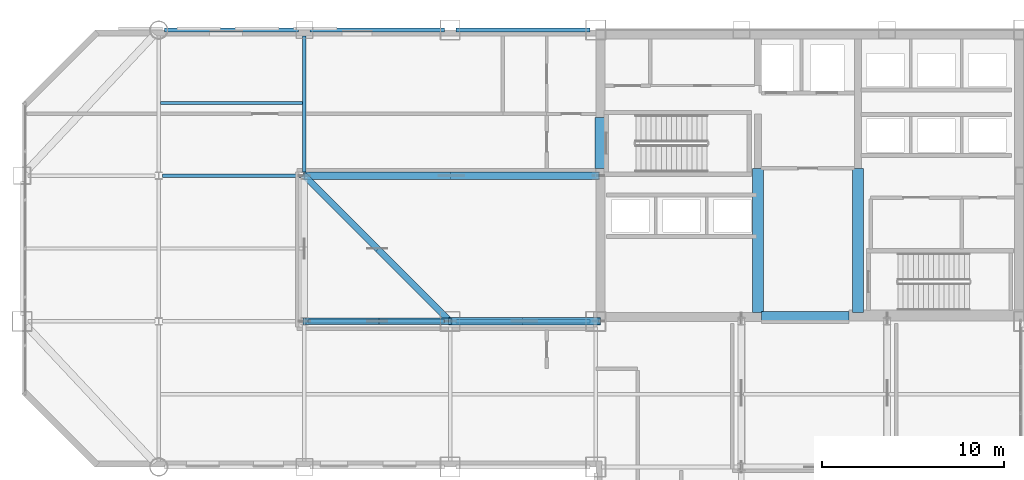
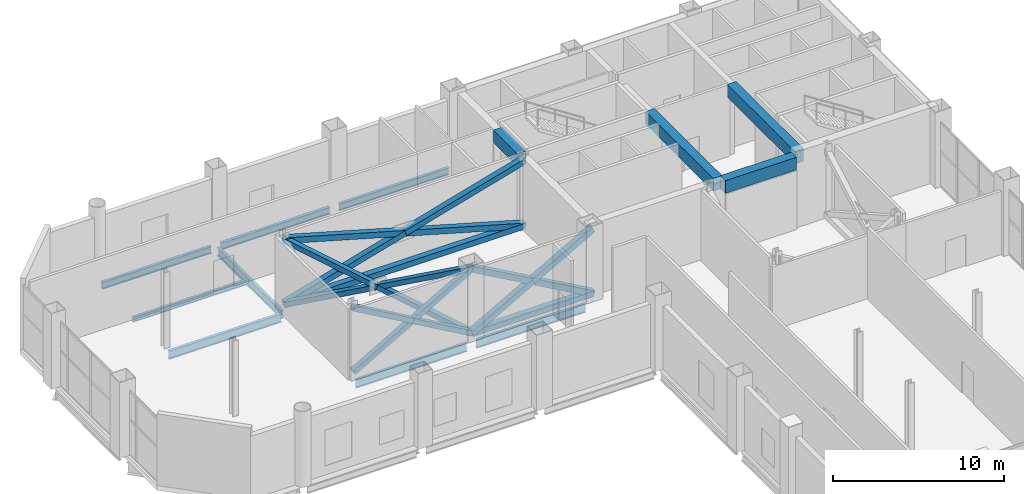
# One storey, part 17 of 24: 14 members, 12 beams.
"""IFC4 building model written with IfcOpenShell, lengths in metres."""

from ifc_helpers import new_model, si_unit, direction, frame, origin, origin_2d, place, context, subcontext, project, spatial, rectangle, hollow_rectangle, i_section, extrude, material, material_profile, profile_set, type_object, element, save


model = new_model("IFC4")

# Units and contexts
model_context = context("Model", 3, precision=1e-05, world=origin(), true_north=direction((0.0, 1.0)))
body_context = subcontext(model_context, "Body", "Model", "MODEL_VIEW")
ifc_project = project(units=[si_unit("LENGTHUNIT", "METRE"), si_unit("AREAUNIT", "SQUARE_METRE"), si_unit("VOLUMEUNIT", "CUBIC_METRE"), si_unit("PLANEANGLEUNIT", "RADIAN"), si_unit("MASSUNIT", "GRAM", prefix="KILO")], contexts=[model_context])

# Site, building, storey
site_placement = place(None, origin())
site = spatial("IfcSite", under=ifc_project, at=site_placement, CompositionType="ELEMENT")
building_placement = place(site_placement, origin())
building = spatial("IfcBuilding", under=site, at=building_placement, Name="Qianrong Seaharbour Tower", CompositionType="ELEMENT")
storey_placement = place(building_placement, frame((0.0, 0.0, 195.0)))
storey = spatial("IfcBuildingStorey", under=building, at=storey_placement, Name="L47", CompositionType="ELEMENT", Elevation=195.0)

# Beams
ifc_material_1 = material(Name="Structural steel SN490B", Category="steel")
ifc_material_profile_1 = material_profile(ifc_material_1, i_section(OverallWidth=0.199951171875, OverallDepth=0.60009765625, WebThickness=0.010986328125, FlangeThickness=0.01708984375, FilletRadius=0.02197265625, at=origin_2d()), Name="H600x200x11x17")
ifc_profile_set_1 = profile_set([ifc_material_profile_1], Name="Structural steel SN490B")
beam_type_1 = type_object("IfcBeamType", Name="BM-G-600", PredefinedType="BEAM", material=ifc_profile_set_1)
beam_1_placement = place(storey_placement, frame((24.699951171875, 36.0, -0.64990234375), z_axis=(1.0, 0.0, 0.0), x_axis=(0.0, 1.0, 0.0)))
element("IfcBeam", 1, at=beam_1_placement, inside=storey, type_object=beam_type_1, Name="L47 Primary Girder GF G4-G5", PredefinedType="BEAM", context=body_context, shape_type="SweptSolid", body=[
    extrude(i_section(OverallWidth=0.199951171875, OverallDepth=0.60009765625, WebThickness=0.010986328125, FlangeThickness=0.01708984375, FilletRadius=0.02197265625, at=origin_2d()), origin(), (0.0, 0.0, 1.0), 7.47998046875),
])
beam_2_placement = place(storey_placement, frame((32.820068359375, 36.0, -0.64990234375), z_axis=(1.0, 0.0, 0.0), x_axis=(0.0, 1.0, 0.0)))
element("IfcBeam", 2, at=beam_2_placement, inside=storey, type_object=beam_type_1, Name="L47 Primary Girder GF G5-G6", PredefinedType="BEAM", context=body_context, shape_type="SweptSolid", body=[
    extrude(i_section(OverallWidth=0.199951171875, OverallDepth=0.60009765625, WebThickness=0.010986328125, FlangeThickness=0.01708984375, FilletRadius=0.02197265625, at=origin_2d()), origin(), (0.0, 0.0, 1.0), 7.35986328125),
])
beam_3_placement = place(storey_placement, frame((16.699951171875, 44.0, -0.64990234375), z_axis=(1.0, 0.0, 0.0), x_axis=(0.0, 1.0, 0.0)))
element("IfcBeam", 3, at=beam_3_placement, inside=storey, type_object=beam_type_1, Name="L47 Primary Girder GG G3-G4", PredefinedType="BEAM", context=body_context, shape_type="SweptSolid", body=[
    extrude(i_section(OverallWidth=0.199951171875, OverallDepth=0.60009765625, WebThickness=0.010986328125, FlangeThickness=0.01708984375, FilletRadius=0.02197265625, at=origin_2d()), origin(), (0.0, 0.0, 1.0), 7.60009765625),
])
beam_4_placement = place(storey_placement, frame((24.5, 44.199951171875, -0.64990234375), z_axis=(0.0, 1.0, 0.0), x_axis=(-1.0, 0.0, 0.0)))
element("IfcBeam", 4, at=beam_4_placement, inside=storey, type_object=beam_type_1, Name="L47 Primary Girder G4 GG-GH", PredefinedType="BEAM", context=body_context, shape_type="SweptSolid", body=[
    extrude(i_section(OverallWidth=0.199951171875, OverallDepth=0.60009765625, WebThickness=0.010986328125, FlangeThickness=0.01708984375, FilletRadius=0.02197265625, at=origin_2d()), origin(), (0.0, 0.0, 1.0), 7.47998046875),
])
ifc_material_2 = material(Name="Structural steel SN400B", Category="steel")
ifc_material_profile_2 = material_profile(ifc_material_2, i_section(OverallWidth=0.175048828125, OverallDepth=0.35009765625, WebThickness=0.007080078125, FlangeThickness=0.010986328125, FilletRadius=0.013916015625, at=origin_2d()), Name="H350x175x7x11")
ifc_profile_set_2 = profile_set([ifc_material_profile_2], Name="Structural steel SN400B")
beam_type_2 = type_object("IfcBeamType", Name="BM-J-350", PredefinedType="JOIST", material=ifc_profile_set_2)
beam_5_placement = place(storey_placement, frame((16.60009765625, 48.0, -0.52490234375), z_axis=(1.0, 0.0, 0.0), x_axis=(0.0, 1.0, 0.0)))
element("IfcBeam", 5, at=beam_5_placement, inside=storey, type_object=beam_type_2, Name="L47 Composite Floor Joist G3-G4/GG-GH", PredefinedType="JOIST", context=body_context, shape_type="SweptSolid", body=[
    extrude(i_section(OverallWidth=0.175048828125, OverallDepth=0.35009765625, WebThickness=0.007080078125, FlangeThickness=0.010986328125, FilletRadius=0.013916015625, at=origin_2d()), origin(), (0.0, 0.0, 1.0), 7.7998046875),
])
ifc_material_3 = material(Name="Concrete C70/85", Category="concrete")
ifc_material_profile_3 = material_profile(ifc_material_3, rectangle(XDim=0.60009765625, YDim=0.89990234375, at=origin_2d()), Name="RC600x900")
ifc_profile_set_3 = profile_set([ifc_material_profile_3], Name="Concrete C70/85")
beam_type_3 = type_object("IfcBeamType", Name="BM-LINTEL-900", PredefinedType="LINTEL", material=ifc_profile_set_3)
beam_6_placement = place(storey_placement, frame((40.75, 44.39990234375, 4.64990234375), z_axis=(0.0, 1.0, 0.0), x_axis=(-1.0, 0.0, 0.0)))
element("IfcBeam", 6, at=beam_6_placement, inside=storey, type_object=beam_type_3, Name="L47 Core Coupling Lintel Beam West", PredefinedType="LINTEL", context=body_context, shape_type="SweptSolid", body=[
    extrude(rectangle(XDim=0.60009765625, YDim=0.89990234375, at=origin_2d()), origin(), (0.0, 0.0, 1.0), 2.800048828125),
])
beam_7_placement = place(storey_placement, frame((49.60009765625, 36.25, 4.64990234375), z_axis=(1.0, 0.0, 0.0), x_axis=(0.0, 1.0, 0.0)))
element("IfcBeam", 7, at=beam_7_placement, inside=storey, type_object=beam_type_3, Name="L47 Core Coupling Lintel Beam CBC", PredefinedType="LINTEL", context=body_context, shape_type="SweptSolid", body=[
    extrude(rectangle(XDim=0.60009765625, YDim=0.89990234375, at=origin_2d()), origin(), (0.0, 0.0, 1.0), 4.7998046875),
])
for number, where, z_axis, x_axis, name in (
    (8, (49.39990234375, 36.5, 4.64990234375), (0.0, 1.0, 0.0), (-1.0, 0.0, 0.0), "L47 Internal Core Coupling Beam IW1"),
    (9, (54.89990234375, 36.5, 4.64990234375), (0.0, 1.0, 0.0), (-1.0, 0.0, 0.0), "L47 Internal Core Coupling Beam IW2"),
):
    element("IfcBeam", number, at=place(storey_placement, frame(where, z_axis=z_axis, x_axis=x_axis)), inside=storey, type_object=beam_type_3, Name=name, PredefinedType="LINTEL", context=body_context, shape_type="SweptSolid", body=[
        extrude(rectangle(XDim=0.60009765625, YDim=0.89990234375, at=origin_2d()), origin(), (0.0, 0.0, 1.0), 7.89990234375),
    ])
ifc_material_profile_4 = material_profile(ifc_material_1, i_section(OverallWidth=0.199951171875, OverallDepth=0.5, WebThickness=0.010009765625, FlangeThickness=0.01611328125, FilletRadius=0.02001953125, at=origin_2d()), Name="H500x200x10x16")
ifc_profile_set_4 = profile_set([ifc_material_profile_4], Name="Structural steel SN490B")
beam_type_4 = type_object("IfcBeamType", Name="BM-SP-500", PredefinedType="SPANDREL", material=ifc_profile_set_4)
for number, where, z_axis, x_axis, name in (
    (10, (16.820068359375, 52.0, -0.60009765625), (1.0, 0.0, 0.0), (0.0, 1.0, 0.0), "L47 Spandrel Girder GH G3-G4"),
    (11, (24.820068359375, 52.0, -0.60009765625), (1.0, 0.0, 0.0), (0.0, 1.0, 0.0), "L47 Spandrel Girder GH G4-G5"),
    (12, (32.820068359375, 52.0, -0.60009765625), (1.0, 0.0, 0.0), (0.0, 1.0, 0.0), "L47 Spandrel Girder GH G5-G6"),
):
    element("IfcBeam", number, at=place(storey_placement, frame(where, z_axis=z_axis, x_axis=x_axis)), inside=storey, type_object=beam_type_4, Name=name, PredefinedType="SPANDREL", context=body_context, shape_type="SweptSolid", body=[
        extrude(i_section(OverallWidth=0.199951171875, OverallDepth=0.5, WebThickness=0.010009765625, FlangeThickness=0.01611328125, FilletRadius=0.02001953125, at=origin_2d()), origin(), (0.0, 0.0, 1.0), 7.35986328125),
    ])

# Members
ifc_material_profile_5 = material_profile(ifc_material_1, hollow_rectangle(XDim=0.35009765625, YDim=0.35009765625, WallThickness=0.01611328125, at=origin_2d()), Name="SHS350x350x16")
ifc_profile_set_5 = profile_set([ifc_material_profile_5], Name="Structural steel SN490B")
member_type_1 = type_object("IfcMemberType", Name="MEM-BT-SHS350", PredefinedType="BRACE", material=ifc_profile_set_5)
member_1_placement = place(storey_placement, frame((24.5, 36.0, 0.25), z_axis=(0.866901730117, 0.0, 0.498479077114), x_axis=(0.0, 1.0, 0.0)))
element("IfcMember", 13, at=member_1_placement, inside=storey, type_object=member_type_1, Name="L47 Interior Belt Truss Diagonal Brace BT-13", PredefinedType="BRACE", context=body_context, shape_type="SweptSolid", body=[
    extrude(hollow_rectangle(XDim=0.35009765625, YDim=0.35009765625, WallThickness=0.01611328125, at=origin_2d()), origin(), (0.0, 0.0, 1.0), 9.228271484375),
])
for number, where, z_axis, x_axis, name in (
    (14, (24.5, 36.0, 4.85009765625), (0.866901730117, 0.0, -0.498479077114), (0.0, 1.0, 0.0), "L47 Interior Belt Truss Diagonal Brace BT-14"),
    (15, (28.5, 36.0, 2.550048828125), (0.866901730117, 0.0, -0.498479077114), (0.0, 1.0, 0.0), "L47 Interior Belt Truss Diagonal Brace BT-15"),
):
    element("IfcMember", number, at=place(storey_placement, frame(where, z_axis=z_axis, x_axis=x_axis)), inside=storey, type_object=member_type_1, Name=name, PredefinedType="BRACE", context=body_context, shape_type="SweptSolid", body=[
        extrude(hollow_rectangle(XDim=0.35009765625, YDim=0.35009765625, WallThickness=0.01611328125, at=origin_2d()), origin(), (0.0, 0.0, 1.0), 4.614013671875),
    ])
member_2_placement = place(storey_placement, frame((24.5, 44.0, 0.25), z_axis=(0.655031961958, -0.655031961958, 0.376651374121), x_axis=(0.707106781187, 0.707106781187, 0.0)))
element("IfcMember", 16, at=member_2_placement, inside=storey, type_object=member_type_1, Name="L47 Interior Belt Truss Diagonal Brace BT-22", PredefinedType="BRACE", context=body_context, shape_type="SweptSolid", body=[
    extrude(hollow_rectangle(XDim=0.35009765625, YDim=0.35009765625, WallThickness=0.01611328125, at=origin_2d()), origin(), (0.0, 0.0, 1.0), 12.213134765625),
])
for number, where, z_axis, x_axis, name in (
    (17, (24.5, 44.0, 4.85009765625), (0.655031961958, -0.655031961958, -0.376651374121), (0.707106781187, 0.707106781187, 0.0), "L47 Interior Belt Truss Diagonal Brace BT-23"),
    (18, (28.5, 40.0, 2.550048828125), (0.655031961958, -0.655031961958, -0.376651374121), (0.707106781187, 0.707106781187, 0.0), "L47 Interior Belt Truss Diagonal Brace BT-24"),
):
    element("IfcMember", number, at=place(storey_placement, frame(where, z_axis=z_axis, x_axis=x_axis)), inside=storey, type_object=member_type_1, Name=name, PredefinedType="BRACE", context=body_context, shape_type="SweptSolid", body=[
        extrude(hollow_rectangle(XDim=0.35009765625, YDim=0.35009765625, WallThickness=0.01611328125, at=origin_2d()), origin(), (0.0, 0.0, 1.0), 6.106689453125),
    ])
ifc_material_profile_6 = material_profile(ifc_material_1, hollow_rectangle(XDim=0.39990234375, YDim=0.39990234375, WallThickness=0.02001953125, at=origin_2d()), Name="SHS400x400x20")
ifc_profile_set_6 = profile_set([ifc_material_profile_6], Name="Structural steel SN490B")
member_type_2 = type_object("IfcMemberType", Name="MEM-CHORD-400", PredefinedType="CHORD", material=ifc_profile_set_6)
member_3_placement = place(storey_placement, frame((32.5, 36.0, 0.25), z_axis=(1.0, 0.0, 0.0), x_axis=(0.0, 1.0, 0.0)))
element("IfcMember", 19, at=member_3_placement, inside=storey, type_object=member_type_2, Name="L47 Outrigger Truss Bottom Chord GF", PredefinedType="CHORD", context=body_context, shape_type="SweptSolid", body=[
    extrude(hollow_rectangle(XDim=0.39990234375, YDim=0.39990234375, WallThickness=0.02001953125, at=origin_2d()), origin(), (0.0, 0.0, 1.0), 8.14990234375),
])
member_4_placement = place(storey_placement, frame((24.5, 44.0, 0.25), z_axis=(1.0, 0.0, 0.0), x_axis=(0.0, 1.0, 0.0)))
element("IfcMember", 20, at=member_4_placement, inside=storey, type_object=member_type_2, Name="L47 Outrigger Truss Bottom Chord GG", PredefinedType="CHORD", context=body_context, shape_type="SweptSolid", body=[
    extrude(hollow_rectangle(XDim=0.39990234375, YDim=0.39990234375, WallThickness=0.02001953125, at=origin_2d()), origin(), (0.0, 0.0, 1.0), 16.14990234375),
])
ifc_material_profile_7 = material_profile(ifc_material_1, hollow_rectangle(XDim=0.39990234375, YDim=0.39990234375, WallThickness=0.02001953125, at=origin_2d()), Name="SHS400x400x20")
ifc_profile_set_7 = profile_set([ifc_material_profile_7], Name="Structural steel SN490B")
member_type_3 = type_object("IfcMemberType", Name="MEM-OT-SHS400", PredefinedType="BRACE", material=ifc_profile_set_7)
member_5_placement = place(storey_placement, frame((40.64990234375, 36.0, 0.25), z_axis=(-0.87085420857, 0.0, 0.491541399493), x_axis=(0.0, -1.0, 0.0)))
element("IfcMember", 21, at=member_5_placement, inside=storey, type_object=member_type_3, Name="L47 Outrigger Truss Diagonal Brace OT-01", PredefinedType="BRACE", context=body_context, shape_type="SweptSolid", body=[
    extrude(hollow_rectangle(XDim=0.39990234375, YDim=0.39990234375, WallThickness=0.02001953125, at=origin_2d()), origin(), (0.0, 0.0, 1.0), 9.3583984375),
])
for number, where, z_axis, x_axis, name in (
    (22, (40.64990234375, 36.0, 4.85009765625), (-0.87085420857, 0.0, -0.491541399493), (0.0, -1.0, 0.0), "L47 Outrigger Truss Diagonal Brace OT-02"),
    (23, (36.574951171875, 36.0, 2.550048828125), (-0.87085420857, 0.0, -0.491541399493), (0.0, -1.0, 0.0), "L47 Outrigger Truss Diagonal Brace OT-03"),
):
    element("IfcMember", number, at=place(storey_placement, frame(where, z_axis=z_axis, x_axis=x_axis)), inside=storey, type_object=member_type_3, Name=name, PredefinedType="BRACE", context=body_context, shape_type="SweptSolid", body=[
        extrude(hollow_rectangle(XDim=0.39990234375, YDim=0.39990234375, WallThickness=0.02001953125, at=origin_2d()), origin(), (0.0, 0.0, 1.0), 4.67919921875),
    ])
member_6_placement = place(storey_placement, frame((40.64990234375, 44.0, 0.25), z_axis=(-0.961746378073, 0.0, 0.273941424878), x_axis=(0.0, -1.0, 0.0)))
element("IfcMember", 24, at=member_6_placement, inside=storey, type_object=member_type_3, Name="L47 Outrigger Truss Diagonal Brace OT-04", PredefinedType="BRACE", context=body_context, shape_type="SweptSolid", body=[
    extrude(hollow_rectangle(XDim=0.39990234375, YDim=0.39990234375, WallThickness=0.02001953125, at=origin_2d()), origin(), (0.0, 0.0, 1.0), 16.792236328125),
])
for number, where, z_axis, x_axis, name in (
    (25, (40.64990234375, 44.0, 4.85009765625), (-0.961746378073, 0.0, -0.273941424878), (0.0, -1.0, 0.0), "L47 Outrigger Truss Diagonal Brace OT-05"),
    (26, (32.574951171875, 44.0, 2.550048828125), (-0.961746378073, 0.0, -0.273941424878), (0.0, -1.0, 0.0), "L47 Outrigger Truss Diagonal Brace OT-06"),
):
    element("IfcMember", number, at=place(storey_placement, frame(where, z_axis=z_axis, x_axis=x_axis)), inside=storey, type_object=member_type_3, Name=name, PredefinedType="BRACE", context=body_context, shape_type="SweptSolid", body=[
        extrude(hollow_rectangle(XDim=0.39990234375, YDim=0.39990234375, WallThickness=0.02001953125, at=origin_2d()), origin(), (0.0, 0.0, 1.0), 8.396240234375),
    ])

save(model, "model.ifc")
